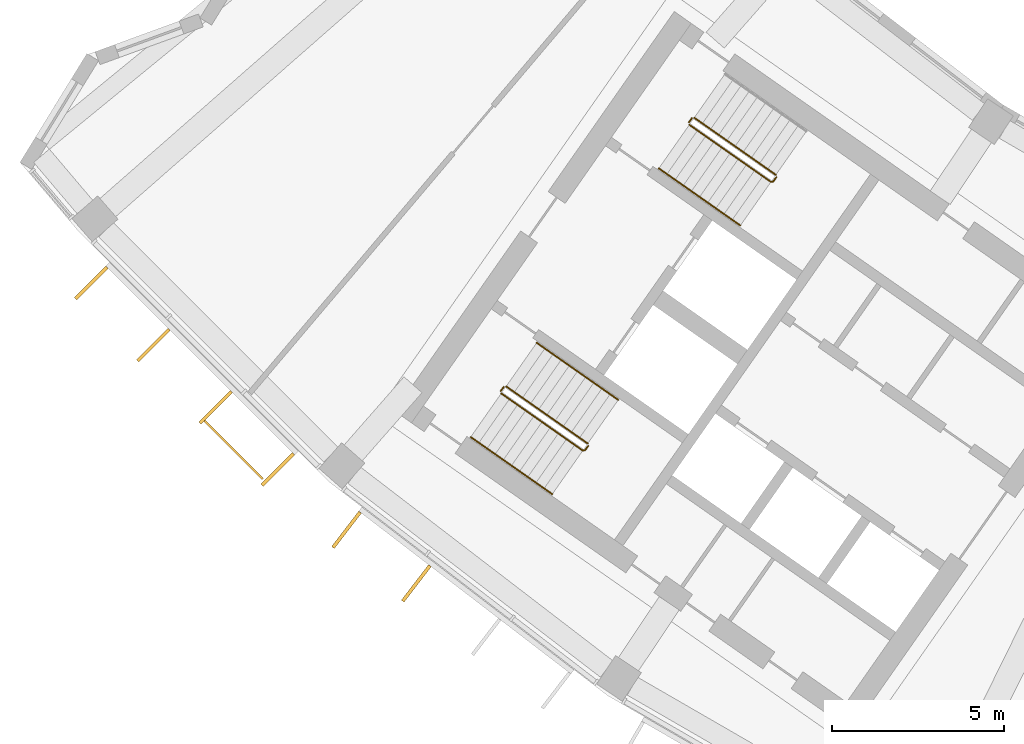
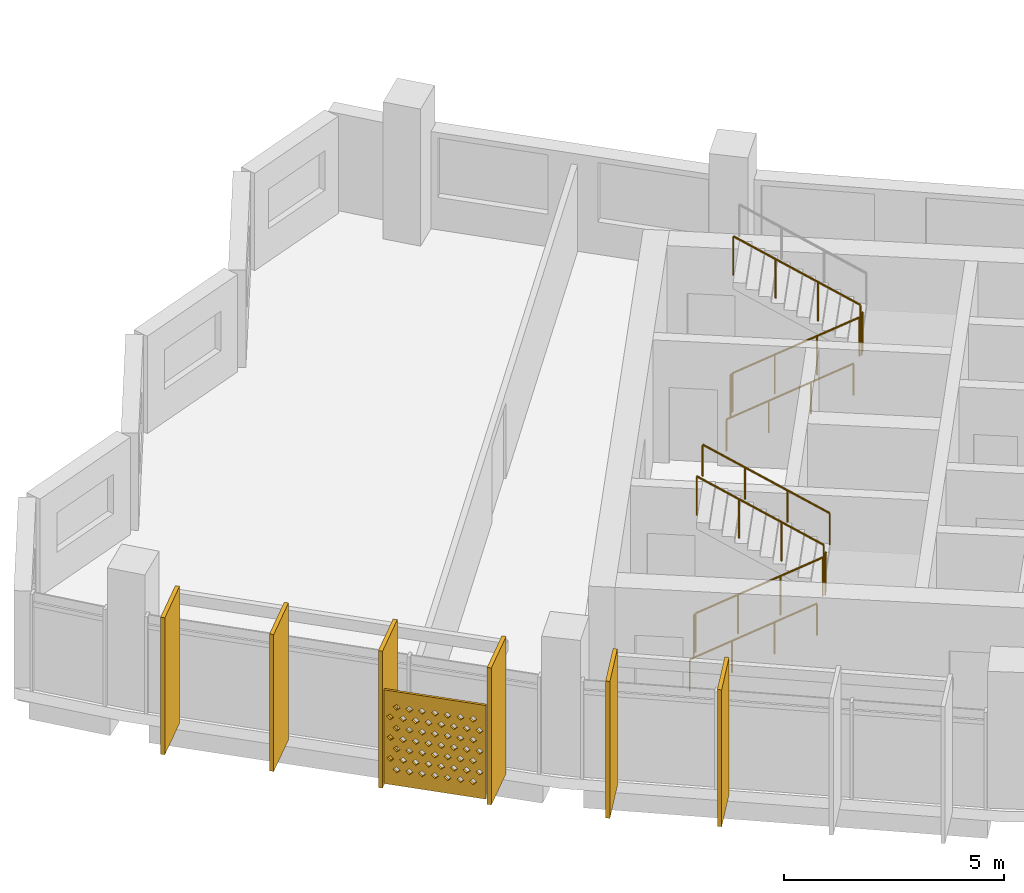
# One storey, part 23 of 27: 9 railings, 7 shading devices.
"""IFC4 building model written with IfcOpenShell, lengths in metres."""

from ifc_helpers import new_model, si_unit, direction, frame, origin, origin_2d, place, context, subcontext, project, spatial, polyline, rectangle, circle, outline, extrude, material, material_profile, profile_set, type_object, element, save


model = new_model("IFC4")

# Units and contexts
model_context = context("Model", 3, precision=1e-05, world=origin(), true_north=direction((0.0, 1.0)))
body_context = subcontext(model_context, "Body", "Model", "MODEL_VIEW")
ifc_project = project(units=[si_unit("LENGTHUNIT", "METRE"), si_unit("AREAUNIT", "SQUARE_METRE"), si_unit("VOLUMEUNIT", "CUBIC_METRE"), si_unit("PLANEANGLEUNIT", "RADIAN"), si_unit("MASSUNIT", "GRAM", prefix="KILO")], contexts=[model_context])

# Site, building, storey
site_placement = place(None, origin())
site = spatial("IfcSite", under=ifc_project, at=site_placement, CompositionType="ELEMENT")
building_placement = place(site_placement, origin())
building = spatial("IfcBuilding", under=site, at=building_placement, Name="Qamariyya Broadcast Tower", CompositionType="ELEMENT")
storey_placement = place(building_placement, frame((0.0, 0.0, 280.89990234375)))
storey = spatial("IfcBuildingStorey", under=building, at=storey_placement, Name="L68", CompositionType="ELEMENT", Elevation=280.89990234375)

# Shading device
ifc_material_1 = material(Name="Perforated glazed terracotta", Category="masonry")
ifc_material_profile_1 = material_profile(ifc_material_1, outline(polyline([(-1.199951171875, -1.300048828125), (1.199951171875, -1.300048828125), (1.199951171875, 1.300048828125), (-1.199951171875, 1.300048828125), (-1.199951171875, -1.300048828125)]), holes=[polyline([(-0.81494140625, -0.86669921875), (-0.89990234375, -0.78173828125), (-0.985107421875, -0.86669921875), (-0.89990234375, -0.95166015625), (-0.81494140625, -0.86669921875)]), polyline([(-0.514892578125, -0.86669921875), (-0.60009765625, -0.78173828125), (-0.68505859375, -0.86669921875), (-0.60009765625, -0.95166015625), (-0.514892578125, -0.86669921875)]), polyline([(-0.215087890625, -0.86669921875), (-0.300048828125, -0.78173828125), (-0.385009765625, -0.86669921875), (-0.300048828125, -0.95166015625), (-0.215087890625, -0.86669921875)]), polyline([(0.0849609375, -0.86669921875), (0.0, -0.78173828125), (-0.0849609375, -0.86669921875), (0.0, -0.95166015625), (0.0849609375, -0.86669921875)]), polyline([(0.385009765625, -0.86669921875), (0.300048828125, -0.78173828125), (0.215087890625, -0.86669921875), (0.300048828125, -0.95166015625), (0.385009765625, -0.86669921875)]), polyline([(0.68505859375, -0.86669921875), (0.60009765625, -0.78173828125), (0.514892578125, -0.86669921875), (0.60009765625, -0.95166015625), (0.68505859375, -0.86669921875)]), polyline([(0.985107421875, -0.86669921875), (0.89990234375, -0.78173828125), (0.81494140625, -0.86669921875), (0.89990234375, -0.95166015625), (0.985107421875, -0.86669921875)]), polyline([(-0.965087890625, -0.577880859375), (-1.050048828125, -0.49267578125), (-1.135009765625, -0.577880859375), (-1.050048828125, -0.662841796875), (-0.965087890625, -0.577880859375)]), polyline([(-0.6650390625, -0.577880859375), (-0.75, -0.49267578125), (-0.8349609375, -0.577880859375), (-0.75, -0.662841796875), (-0.6650390625, -0.577880859375)]), polyline([(-0.364990234375, -0.577880859375), (-0.449951171875, -0.49267578125), (-0.534912109375, -0.577880859375), (-0.449951171875, -0.662841796875), (-0.364990234375, -0.577880859375)]), polyline([(-0.06494140625, -0.577880859375), (-0.14990234375, -0.49267578125), (-0.235107421875, -0.577880859375), (-0.14990234375, -0.662841796875), (-0.06494140625, -0.577880859375)]), polyline([(0.235107421875, -0.577880859375), (0.14990234375, -0.49267578125), (0.06494140625, -0.577880859375), (0.14990234375, -0.662841796875), (0.235107421875, -0.577880859375)]), polyline([(0.534912109375, -0.577880859375), (0.449951171875, -0.49267578125), (0.364990234375, -0.577880859375), (0.449951171875, -0.662841796875), (0.534912109375, -0.577880859375)]), polyline([(0.8349609375, -0.577880859375), (0.75, -0.49267578125), (0.6650390625, -0.577880859375), (0.75, -0.662841796875), (0.8349609375, -0.577880859375)]), polyline([(1.135009765625, -0.577880859375), (1.050048828125, -0.49267578125), (0.965087890625, -0.577880859375), (1.050048828125, -0.662841796875), (1.135009765625, -0.577880859375)]), polyline([(-0.81494140625, -0.288818359375), (-0.89990234375, -0.203857421875), (-0.985107421875, -0.288818359375), (-0.89990234375, -0.373779296875), (-0.81494140625, -0.288818359375)]), polyline([(-0.514892578125, -0.288818359375), (-0.60009765625, -0.203857421875), (-0.68505859375, -0.288818359375), (-0.60009765625, -0.373779296875), (-0.514892578125, -0.288818359375)]), polyline([(-0.215087890625, -0.288818359375), (-0.300048828125, -0.203857421875), (-0.385009765625, -0.288818359375), (-0.300048828125, -0.373779296875), (-0.215087890625, -0.288818359375)]), polyline([(0.0849609375, -0.288818359375), (0.0, -0.203857421875), (-0.0849609375, -0.288818359375), (0.0, -0.373779296875), (0.0849609375, -0.288818359375)]), polyline([(0.385009765625, -0.288818359375), (0.300048828125, -0.203857421875), (0.215087890625, -0.288818359375), (0.300048828125, -0.373779296875), (0.385009765625, -0.288818359375)]), polyline([(0.68505859375, -0.288818359375), (0.60009765625, -0.203857421875), (0.514892578125, -0.288818359375), (0.60009765625, -0.373779296875), (0.68505859375, -0.288818359375)]), polyline([(0.985107421875, -0.288818359375), (0.89990234375, -0.203857421875), (0.81494140625, -0.288818359375), (0.89990234375, -0.373779296875), (0.985107421875, -0.288818359375)]), polyline([(-0.965087890625, 0.0), (-1.050048828125, 0.0849609375), (-1.135009765625, 0.0), (-1.050048828125, -0.0849609375), (-0.965087890625, 0.0)]), polyline([(-0.6650390625, 0.0), (-0.75, 0.0849609375), (-0.8349609375, 0.0), (-0.75, -0.0849609375), (-0.6650390625, 0.0)]), polyline([(-0.364990234375, 0.0), (-0.449951171875, 0.0849609375), (-0.534912109375, 0.0), (-0.449951171875, -0.0849609375), (-0.364990234375, 0.0)]), polyline([(-0.06494140625, 0.0), (-0.14990234375, 0.0849609375), (-0.235107421875, 0.0), (-0.14990234375, -0.0849609375), (-0.06494140625, 0.0)]), polyline([(0.235107421875, 0.0), (0.14990234375, 0.0849609375), (0.06494140625, 0.0), (0.14990234375, -0.0849609375), (0.235107421875, 0.0)]), polyline([(0.534912109375, 0.0), (0.449951171875, 0.0849609375), (0.364990234375, 0.0), (0.449951171875, -0.0849609375), (0.534912109375, 0.0)]), polyline([(0.8349609375, 0.0), (0.75, 0.0849609375), (0.6650390625, 0.0), (0.75, -0.0849609375), (0.8349609375, 0.0)]), polyline([(1.135009765625, 0.0), (1.050048828125, 0.0849609375), (0.965087890625, 0.0), (1.050048828125, -0.0849609375), (1.135009765625, 0.0)]), polyline([(-0.81494140625, 0.288818359375), (-0.89990234375, 0.373779296875), (-0.985107421875, 0.288818359375), (-0.89990234375, 0.203857421875), (-0.81494140625, 0.288818359375)]), polyline([(-0.514892578125, 0.288818359375), (-0.60009765625, 0.373779296875), (-0.68505859375, 0.288818359375), (-0.60009765625, 0.203857421875), (-0.514892578125, 0.288818359375)]), polyline([(-0.215087890625, 0.288818359375), (-0.300048828125, 0.373779296875), (-0.385009765625, 0.288818359375), (-0.300048828125, 0.203857421875), (-0.215087890625, 0.288818359375)]), polyline([(0.0849609375, 0.288818359375), (0.0, 0.373779296875), (-0.0849609375, 0.288818359375), (0.0, 0.203857421875), (0.0849609375, 0.288818359375)]), polyline([(0.385009765625, 0.288818359375), (0.300048828125, 0.373779296875), (0.215087890625, 0.288818359375), (0.300048828125, 0.203857421875), (0.385009765625, 0.288818359375)]), polyline([(0.68505859375, 0.288818359375), (0.60009765625, 0.373779296875), (0.514892578125, 0.288818359375), (0.60009765625, 0.203857421875), (0.68505859375, 0.288818359375)]), polyline([(0.985107421875, 0.288818359375), (0.89990234375, 0.373779296875), (0.81494140625, 0.288818359375), (0.89990234375, 0.203857421875), (0.985107421875, 0.288818359375)]), polyline([(-0.965087890625, 0.577880859375), (-1.050048828125, 0.662841796875), (-1.135009765625, 0.577880859375), (-1.050048828125, 0.49267578125), (-0.965087890625, 0.577880859375)]), polyline([(-0.6650390625, 0.577880859375), (-0.75, 0.662841796875), (-0.8349609375, 0.577880859375), (-0.75, 0.49267578125), (-0.6650390625, 0.577880859375)]), polyline([(-0.364990234375, 0.577880859375), (-0.449951171875, 0.662841796875), (-0.534912109375, 0.577880859375), (-0.449951171875, 0.49267578125), (-0.364990234375, 0.577880859375)]), polyline([(-0.06494140625, 0.577880859375), (-0.14990234375, 0.662841796875), (-0.235107421875, 0.577880859375), (-0.14990234375, 0.49267578125), (-0.06494140625, 0.577880859375)]), polyline([(0.235107421875, 0.577880859375), (0.14990234375, 0.662841796875), (0.06494140625, 0.577880859375), (0.14990234375, 0.49267578125), (0.235107421875, 0.577880859375)]), polyline([(0.534912109375, 0.577880859375), (0.449951171875, 0.662841796875), (0.364990234375, 0.577880859375), (0.449951171875, 0.49267578125), (0.534912109375, 0.577880859375)]), polyline([(0.8349609375, 0.577880859375), (0.75, 0.662841796875), (0.6650390625, 0.577880859375), (0.75, 0.49267578125), (0.8349609375, 0.577880859375)]), polyline([(1.135009765625, 0.577880859375), (1.050048828125, 0.662841796875), (0.965087890625, 0.577880859375), (1.050048828125, 0.49267578125), (1.135009765625, 0.577880859375)]), polyline([(-0.81494140625, 0.86669921875), (-0.89990234375, 0.95166015625), (-0.985107421875, 0.86669921875), (-0.89990234375, 0.78173828125), (-0.81494140625, 0.86669921875)]), polyline([(-0.514892578125, 0.86669921875), (-0.60009765625, 0.95166015625), (-0.68505859375, 0.86669921875), (-0.60009765625, 0.78173828125), (-0.514892578125, 0.86669921875)]), polyline([(-0.215087890625, 0.86669921875), (-0.300048828125, 0.95166015625), (-0.385009765625, 0.86669921875), (-0.300048828125, 0.78173828125), (-0.215087890625, 0.86669921875)]), polyline([(0.0849609375, 0.86669921875), (0.0, 0.95166015625), (-0.0849609375, 0.86669921875), (0.0, 0.78173828125), (0.0849609375, 0.86669921875)]), polyline([(0.385009765625, 0.86669921875), (0.300048828125, 0.95166015625), (0.215087890625, 0.86669921875), (0.300048828125, 0.78173828125), (0.385009765625, 0.86669921875)]), polyline([(0.68505859375, 0.86669921875), (0.60009765625, 0.95166015625), (0.514892578125, 0.86669921875), (0.60009765625, 0.78173828125), (0.68505859375, 0.86669921875)]), polyline([(0.985107421875, 0.86669921875), (0.89990234375, 0.95166015625), (0.81494140625, 0.86669921875), (0.89990234375, 0.78173828125), (0.985107421875, 0.86669921875)])]))
ifc_profile_set_1 = profile_set([ifc_material_profile_1], Name="Perforated glazed terracotta")
shading_device_type_1 = type_object("IfcShadingDeviceType", Name="Perforated terracotta screen 2400 x 2600", PredefinedType="USERDEFINED", material=ifc_profile_set_1)
shading_device_placement = place(storey_placement, frame((-54.391357421875, -57.970947265625, 1.35009765625), z_axis=(-0.707106781187, -0.707106781187, 0.0), x_axis=(0.707106781187, -0.707106781187, 0.0)))
element("IfcShadingDevice", 1, at=shading_device_placement, inside=storey, type_object=shading_device_type_1, Name="e-scr-L68-01-2", ObjectType="SCREEN", PredefinedType="USERDEFINED", context=body_context, shape_type="SweptSolid", body=[
    extrude(outline(polyline([(-1.199951171875, -1.300048828125), (1.199951171875, -1.300048828125), (1.199951171875, 1.300048828125), (-1.199951171875, 1.300048828125), (-1.199951171875, -1.300048828125)]), holes=[polyline([(-0.81494140625, -0.86669921875), (-0.89990234375, -0.78173828125), (-0.985107421875, -0.86669921875), (-0.89990234375, -0.95166015625), (-0.81494140625, -0.86669921875)]), polyline([(-0.514892578125, -0.86669921875), (-0.60009765625, -0.78173828125), (-0.68505859375, -0.86669921875), (-0.60009765625, -0.95166015625), (-0.514892578125, -0.86669921875)]), polyline([(-0.215087890625, -0.86669921875), (-0.300048828125, -0.78173828125), (-0.385009765625, -0.86669921875), (-0.300048828125, -0.95166015625), (-0.215087890625, -0.86669921875)]), polyline([(0.0849609375, -0.86669921875), (0.0, -0.78173828125), (-0.0849609375, -0.86669921875), (0.0, -0.95166015625), (0.0849609375, -0.86669921875)]), polyline([(0.385009765625, -0.86669921875), (0.300048828125, -0.78173828125), (0.215087890625, -0.86669921875), (0.300048828125, -0.95166015625), (0.385009765625, -0.86669921875)]), polyline([(0.68505859375, -0.86669921875), (0.60009765625, -0.78173828125), (0.514892578125, -0.86669921875), (0.60009765625, -0.95166015625), (0.68505859375, -0.86669921875)]), polyline([(0.985107421875, -0.86669921875), (0.89990234375, -0.78173828125), (0.81494140625, -0.86669921875), (0.89990234375, -0.95166015625), (0.985107421875, -0.86669921875)]), polyline([(-0.965087890625, -0.577880859375), (-1.050048828125, -0.49267578125), (-1.135009765625, -0.577880859375), (-1.050048828125, -0.662841796875), (-0.965087890625, -0.577880859375)]), polyline([(-0.6650390625, -0.577880859375), (-0.75, -0.49267578125), (-0.8349609375, -0.577880859375), (-0.75, -0.662841796875), (-0.6650390625, -0.577880859375)]), polyline([(-0.364990234375, -0.577880859375), (-0.449951171875, -0.49267578125), (-0.534912109375, -0.577880859375), (-0.449951171875, -0.662841796875), (-0.364990234375, -0.577880859375)]), polyline([(-0.06494140625, -0.577880859375), (-0.14990234375, -0.49267578125), (-0.235107421875, -0.577880859375), (-0.14990234375, -0.662841796875), (-0.06494140625, -0.577880859375)]), polyline([(0.235107421875, -0.577880859375), (0.14990234375, -0.49267578125), (0.06494140625, -0.577880859375), (0.14990234375, -0.662841796875), (0.235107421875, -0.577880859375)]), polyline([(0.534912109375, -0.577880859375), (0.449951171875, -0.49267578125), (0.364990234375, -0.577880859375), (0.449951171875, -0.662841796875), (0.534912109375, -0.577880859375)]), polyline([(0.8349609375, -0.577880859375), (0.75, -0.49267578125), (0.6650390625, -0.577880859375), (0.75, -0.662841796875), (0.8349609375, -0.577880859375)]), polyline([(1.135009765625, -0.577880859375), (1.050048828125, -0.49267578125), (0.965087890625, -0.577880859375), (1.050048828125, -0.662841796875), (1.135009765625, -0.577880859375)]), polyline([(-0.81494140625, -0.288818359375), (-0.89990234375, -0.203857421875), (-0.985107421875, -0.288818359375), (-0.89990234375, -0.373779296875), (-0.81494140625, -0.288818359375)]), polyline([(-0.514892578125, -0.288818359375), (-0.60009765625, -0.203857421875), (-0.68505859375, -0.288818359375), (-0.60009765625, -0.373779296875), (-0.514892578125, -0.288818359375)]), polyline([(-0.215087890625, -0.288818359375), (-0.300048828125, -0.203857421875), (-0.385009765625, -0.288818359375), (-0.300048828125, -0.373779296875), (-0.215087890625, -0.288818359375)]), polyline([(0.0849609375, -0.288818359375), (0.0, -0.203857421875), (-0.0849609375, -0.288818359375), (0.0, -0.373779296875), (0.0849609375, -0.288818359375)]), polyline([(0.385009765625, -0.288818359375), (0.300048828125, -0.203857421875), (0.215087890625, -0.288818359375), (0.300048828125, -0.373779296875), (0.385009765625, -0.288818359375)]), polyline([(0.68505859375, -0.288818359375), (0.60009765625, -0.203857421875), (0.514892578125, -0.288818359375), (0.60009765625, -0.373779296875), (0.68505859375, -0.288818359375)]), polyline([(0.985107421875, -0.288818359375), (0.89990234375, -0.203857421875), (0.81494140625, -0.288818359375), (0.89990234375, -0.373779296875), (0.985107421875, -0.288818359375)]), polyline([(-0.965087890625, 0.0), (-1.050048828125, 0.0849609375), (-1.135009765625, 0.0), (-1.050048828125, -0.0849609375), (-0.965087890625, 0.0)]), polyline([(-0.6650390625, 0.0), (-0.75, 0.0849609375), (-0.8349609375, 0.0), (-0.75, -0.0849609375), (-0.6650390625, 0.0)]), polyline([(-0.364990234375, 0.0), (-0.449951171875, 0.0849609375), (-0.534912109375, 0.0), (-0.449951171875, -0.0849609375), (-0.364990234375, 0.0)]), polyline([(-0.06494140625, 0.0), (-0.14990234375, 0.0849609375), (-0.235107421875, 0.0), (-0.14990234375, -0.0849609375), (-0.06494140625, 0.0)]), polyline([(0.235107421875, 0.0), (0.14990234375, 0.0849609375), (0.06494140625, 0.0), (0.14990234375, -0.0849609375), (0.235107421875, 0.0)]), polyline([(0.534912109375, 0.0), (0.449951171875, 0.0849609375), (0.364990234375, 0.0), (0.449951171875, -0.0849609375), (0.534912109375, 0.0)]), polyline([(0.8349609375, 0.0), (0.75, 0.0849609375), (0.6650390625, 0.0), (0.75, -0.0849609375), (0.8349609375, 0.0)]), polyline([(1.135009765625, 0.0), (1.050048828125, 0.0849609375), (0.965087890625, 0.0), (1.050048828125, -0.0849609375), (1.135009765625, 0.0)]), polyline([(-0.81494140625, 0.288818359375), (-0.89990234375, 0.373779296875), (-0.985107421875, 0.288818359375), (-0.89990234375, 0.203857421875), (-0.81494140625, 0.288818359375)]), polyline([(-0.514892578125, 0.288818359375), (-0.60009765625, 0.373779296875), (-0.68505859375, 0.288818359375), (-0.60009765625, 0.203857421875), (-0.514892578125, 0.288818359375)]), polyline([(-0.215087890625, 0.288818359375), (-0.300048828125, 0.373779296875), (-0.385009765625, 0.288818359375), (-0.300048828125, 0.203857421875), (-0.215087890625, 0.288818359375)]), polyline([(0.0849609375, 0.288818359375), (0.0, 0.373779296875), (-0.0849609375, 0.288818359375), (0.0, 0.203857421875), (0.0849609375, 0.288818359375)]), polyline([(0.385009765625, 0.288818359375), (0.300048828125, 0.373779296875), (0.215087890625, 0.288818359375), (0.300048828125, 0.203857421875), (0.385009765625, 0.288818359375)]), polyline([(0.68505859375, 0.288818359375), (0.60009765625, 0.373779296875), (0.514892578125, 0.288818359375), (0.60009765625, 0.203857421875), (0.68505859375, 0.288818359375)]), polyline([(0.985107421875, 0.288818359375), (0.89990234375, 0.373779296875), (0.81494140625, 0.288818359375), (0.89990234375, 0.203857421875), (0.985107421875, 0.288818359375)]), polyline([(-0.965087890625, 0.577880859375), (-1.050048828125, 0.662841796875), (-1.135009765625, 0.577880859375), (-1.050048828125, 0.49267578125), (-0.965087890625, 0.577880859375)]), polyline([(-0.6650390625, 0.577880859375), (-0.75, 0.662841796875), (-0.8349609375, 0.577880859375), (-0.75, 0.49267578125), (-0.6650390625, 0.577880859375)]), polyline([(-0.364990234375, 0.577880859375), (-0.449951171875, 0.662841796875), (-0.534912109375, 0.577880859375), (-0.449951171875, 0.49267578125), (-0.364990234375, 0.577880859375)]), polyline([(-0.06494140625, 0.577880859375), (-0.14990234375, 0.662841796875), (-0.235107421875, 0.577880859375), (-0.14990234375, 0.49267578125), (-0.06494140625, 0.577880859375)]), polyline([(0.235107421875, 0.577880859375), (0.14990234375, 0.662841796875), (0.06494140625, 0.577880859375), (0.14990234375, 0.49267578125), (0.235107421875, 0.577880859375)]), polyline([(0.534912109375, 0.577880859375), (0.449951171875, 0.662841796875), (0.364990234375, 0.577880859375), (0.449951171875, 0.49267578125), (0.534912109375, 0.577880859375)]), polyline([(0.8349609375, 0.577880859375), (0.75, 0.662841796875), (0.6650390625, 0.577880859375), (0.75, 0.49267578125), (0.8349609375, 0.577880859375)]), polyline([(1.135009765625, 0.577880859375), (1.050048828125, 0.662841796875), (0.965087890625, 0.577880859375), (1.050048828125, 0.49267578125), (1.135009765625, 0.577880859375)]), polyline([(-0.81494140625, 0.86669921875), (-0.89990234375, 0.95166015625), (-0.985107421875, 0.86669921875), (-0.89990234375, 0.78173828125), (-0.81494140625, 0.86669921875)]), polyline([(-0.514892578125, 0.86669921875), (-0.60009765625, 0.95166015625), (-0.68505859375, 0.86669921875), (-0.60009765625, 0.78173828125), (-0.514892578125, 0.86669921875)]), polyline([(-0.215087890625, 0.86669921875), (-0.300048828125, 0.95166015625), (-0.385009765625, 0.86669921875), (-0.300048828125, 0.78173828125), (-0.215087890625, 0.86669921875)]), polyline([(0.0849609375, 0.86669921875), (0.0, 0.95166015625), (-0.0849609375, 0.86669921875), (0.0, 0.78173828125), (0.0849609375, 0.86669921875)]), polyline([(0.385009765625, 0.86669921875), (0.300048828125, 0.95166015625), (0.215087890625, 0.86669921875), (0.300048828125, 0.78173828125), (0.385009765625, 0.86669921875)]), polyline([(0.68505859375, 0.86669921875), (0.60009765625, 0.95166015625), (0.514892578125, 0.86669921875), (0.60009765625, 0.78173828125), (0.68505859375, 0.86669921875)]), polyline([(0.985107421875, 0.86669921875), (0.89990234375, 0.95166015625), (0.81494140625, 0.86669921875), (0.89990234375, 0.78173828125), (0.985107421875, 0.86669921875)])]), origin(), (0.0, 0.0, 1.0), 0.06005859375),
])

# Railings
ifc_material_2 = material(Name="Painted steel", Category="steel")
railing_type_1 = type_object("IfcRailingType", Name="Stair guard", PredefinedType="GUARDRAIL", material=ifc_material_2)
railing_1_placement = place(storey_placement, frame((-41.146728515625, -48.52490234375, 0.1728515625)))
element("IfcRailing", 2, at=railing_1_placement, inside=storey, type_object=railing_type_1, Name="L68 ST-W2 stair guard 1", PredefinedType="GUARDRAIL", context=body_context, shape_type="SweptSolid", body=[
    extrude(circle(Radius=0.02392578125, at=origin_2d()), frame((0.0, 0.0, 1.076171875), z_axis=(0.703770094002, -0.492783725636, 0.511734163933), x_axis=(0.573575343427, 0.819152809562, 0.0)), (0.0, 0.0, 1.0), 3.37548828125),
    extrude(circle(Radius=0.02392578125, at=origin_2d()), frame((2.37548828125, -1.663330078125, 2.80322265625), z_axis=(0.985059694769, 0.172213233351, 0.0), x_axis=(-0.172213233351, 0.985059694769, 0.0)), (0.0, 0.0, 1.0), 0.07080078125),
    extrude(circle(Radius=0.02392578125, at=origin_2d()), frame((2.4453125, -1.651123046875, 2.80322265625), z_axis=(0.572588637393, 0.819842821722, 0.0), x_axis=(-0.819842821722, 0.572588637393, 0.0)), (0.0, 0.0, 1.0), 0.150146484375),
    extrude(circle(Radius=0.02099609375, at=origin_2d()), origin(), (0.0, 0.0, 1.0), 1.052001953125),
    extrude(circle(Radius=0.02099609375, at=origin_2d()), frame((0.791748046875, -0.554443359375, 0.57568359375)), (0.0, 0.0, 1.0), 1.052001953125),
    extrude(circle(Radius=0.02099609375, at=origin_2d()), frame((1.583740234375, -1.10888671875, 1.151611328125)), (0.0, 0.0, 1.0), 1.052001953125),
    extrude(circle(Radius=0.02099609375, at=origin_2d()), frame((2.37548828125, -1.663330078125, 1.727294921875)), (0.0, 0.0, 1.0), 1.052001953125),
    extrude(circle(Radius=0.02099609375, at=origin_2d()), frame((2.4453125, -1.651123046875, 1.727294921875)), (0.0, 0.0, 1.0), 1.052001953125),
    extrude(circle(Radius=0.02099609375, at=origin_2d()), frame((2.53125, -1.528076171875, 1.727294921875)), (0.0, 0.0, 1.0), 1.052001953125),
])
railing_2_placement = place(storey_placement, frame((-38.627685546875, -49.9833984375, 2.07275390625)))
element("IfcRailing", 3, at=railing_2_placement, inside=storey, type_object=railing_type_1, Name="L68 ST-W2 stair guard 2", PredefinedType="GUARDRAIL", context=body_context, shape_type="SweptSolid", body=[
    extrude(circle(Radius=0.02392578125, at=origin_2d()), frame((0.0, 0.0, 1.076171875), z_axis=(-0.703770094002, 0.492783725636, 0.511734163933), x_axis=(-0.573575343427, -0.819152809562, 0.0)), (0.0, 0.0, 1.0), 3.37548828125),
    extrude(circle(Radius=0.02099609375, at=origin_2d()), origin(), (0.0, 0.0, 1.0), 1.052001953125),
    extrude(circle(Radius=0.02099609375, at=origin_2d()), frame((-0.791748046875, 0.554443359375, 0.57568359375)), (0.0, 0.0, 1.0), 1.052001953125),
    extrude(circle(Radius=0.02099609375, at=origin_2d()), frame((-1.583740234375, 1.10888671875, 1.151611328125)), (0.0, 0.0, 1.0), 1.052001953125),
    extrude(circle(Radius=0.02099609375, at=origin_2d()), frame((-2.37548828125, 1.663330078125, 1.727294921875)), (0.0, 0.0, 1.0), 1.052001953125),
])
railing_3_placement = place(storey_placement, frame((-41.158935546875, -48.455322265625, 0.0)))
element("IfcRailing", 4, at=railing_3_placement, inside=storey, type_object=railing_type_1, Name="L68 ST-W2 stair guard 3", PredefinedType="GUARDRAIL", context=body_context, shape_type="SweptSolid", body=[
    extrude(circle(Radius=0.02392578125, at=origin_2d()), frame((0.0, 0.0, 1.076171875), z_axis=(0.572588637393, 0.819842821722, 0.0), x_axis=(-0.819842821722, 0.572588637393, 0.0)), (0.0, 0.0, 1.0), 0.150146484375),
    extrude(circle(Radius=0.02099609375, at=origin_2d()), origin(), (0.0, 0.0, 1.0), 1.052001953125),
    extrude(circle(Radius=0.02099609375, at=origin_2d()), frame((0.0859375, 0.123046875, 0.0)), (0.0, 0.0, 1.0), 1.052001953125),
])
railing_4_placement = place(storey_placement, frame((-46.624267578125, -56.34765625, 0.1728515625)))
element("IfcRailing", 5, at=railing_4_placement, inside=storey, type_object=railing_type_1, Name="L68 ST-W1 stair guard 1", PredefinedType="GUARDRAIL", context=body_context, shape_type="SweptSolid", body=[
    extrude(circle(Radius=0.02392578125, at=origin_2d()), frame((0.0, 0.0, 1.076171875), z_axis=(0.703745009021, -0.492838488332, 0.511715923826), x_axis=(0.573631830683, 0.819113253969, 0.0)), (0.0, 0.0, 1.0), 3.37548828125),
    extrude(circle(Radius=0.02392578125, at=origin_2d()), frame((2.37548828125, -1.66357421875, 2.80322265625), z_axis=(0.984363469884, 0.176149252506, 0.0), x_axis=(-0.176149252506, 0.984363469884, 0.0)), (0.0, 0.0, 1.0), 0.07080078125),
    extrude(circle(Radius=0.02392578125, at=origin_2d()), frame((2.445068359375, -1.651123046875, 2.80322265625), z_axis=(0.574444878118, 0.818543268254, 0.0), x_axis=(-0.818543268254, 0.574444878118, 0.0)), (0.0, 0.0, 1.0), 0.150146484375),
    extrude(circle(Radius=0.02099609375, at=origin_2d()), origin(), (0.0, 0.0, 1.0), 1.052001953125),
    extrude(circle(Radius=0.02099609375, at=origin_2d()), frame((0.791748046875, -0.554443359375, 0.57568359375)), (0.0, 0.0, 1.0), 1.052001953125),
    extrude(circle(Radius=0.02099609375, at=origin_2d()), frame((1.583740234375, -1.109130859375, 1.151611328125)), (0.0, 0.0, 1.0), 1.052001953125),
    extrude(circle(Radius=0.02099609375, at=origin_2d()), frame((2.37548828125, -1.66357421875, 1.727294921875)), (0.0, 0.0, 1.0), 1.052001953125),
    extrude(circle(Radius=0.02099609375, at=origin_2d()), frame((2.445068359375, -1.651123046875, 1.727294921875)), (0.0, 0.0, 1.0), 1.052001953125),
    extrude(circle(Radius=0.02099609375, at=origin_2d()), frame((2.53125, -1.5283203125, 1.727294921875)), (0.0, 0.0, 1.0), 1.052001953125),
])
railing_5_placement = place(storey_placement, frame((-44.10546875, -57.806396484375, 2.07275390625)))
element("IfcRailing", 6, at=railing_5_placement, inside=storey, type_object=railing_type_1, Name="L68 ST-W1 stair guard 2", PredefinedType="GUARDRAIL", context=body_context, shape_type="SweptSolid", body=[
    extrude(circle(Radius=0.02392578125, at=origin_2d()), frame((0.0, 0.0, 1.076171875), z_axis=(-0.703770094002, 0.492783725636, 0.511734163933), x_axis=(-0.573575343427, -0.819152809562, 0.0)), (0.0, 0.0, 1.0), 3.37548828125),
    extrude(circle(Radius=0.02099609375, at=origin_2d()), origin(), (0.0, 0.0, 1.0), 1.052001953125),
    extrude(circle(Radius=0.02099609375, at=origin_2d()), frame((-0.791748046875, 0.554443359375, 0.57568359375)), (0.0, 0.0, 1.0), 1.052001953125),
    extrude(circle(Radius=0.02099609375, at=origin_2d()), frame((-1.583740234375, 1.10888671875, 1.151611328125)), (0.0, 0.0, 1.0), 1.052001953125),
    extrude(circle(Radius=0.02099609375, at=origin_2d()), frame((-2.37548828125, 1.663330078125, 1.727294921875)), (0.0, 0.0, 1.0), 1.052001953125),
])
railing_6_placement = place(storey_placement, frame((-46.63671875, -56.278076171875, 0.0)))
element("IfcRailing", 7, at=railing_6_placement, inside=storey, type_object=railing_type_1, Name="L68 ST-W1 stair guard 3", PredefinedType="GUARDRAIL", context=body_context, shape_type="SweptSolid", body=[
    extrude(circle(Radius=0.02392578125, at=origin_2d()), frame((0.0, 0.0, 1.076171875), z_axis=(0.574444878118, 0.818543268254, 0.0), x_axis=(-0.818543268254, 0.574444878118, 0.0)), (0.0, 0.0, 1.0), 0.150146484375),
    extrude(circle(Radius=0.02099609375, at=origin_2d()), origin(), (0.0, 0.0, 1.0), 1.052001953125),
    extrude(circle(Radius=0.02099609375, at=origin_2d()), frame((0.086181640625, 0.122802734375, 0.0)), (0.0, 0.0, 1.0), 1.052001953125),
])
ifc_material_3 = material(Name="Stainless steel", Category="steel")
railing_type_2 = type_object("IfcRailingType", Name="Stair handrail", PredefinedType="HANDRAIL", material=ifc_material_3)
railing_7_placement = place(storey_placement, frame((-42.03564453125, -49.79443359375, 0.1728515625)))
element("IfcRailing", 8, at=railing_7_placement, inside=storey, type_object=railing_type_2, Name="L68 ST-W2 stair handrail 1", PredefinedType="HANDRAIL", context=body_context, shape_type="SweptSolid", body=[
    extrude(circle(Radius=0.02392578125, at=origin_2d()), frame((0.0, 0.0, 0.8759765625), z_axis=(0.703745009021, -0.492838488332, 0.511715923826), x_axis=(0.573631830683, 0.819113253969, 0.0)), (0.0, 0.0, 1.0), 3.37548828125),
    extrude(circle(Radius=0.02099609375, at=origin_2d()), origin(), (0.0, 0.0, 1.0), 0.851806640625),
    extrude(circle(Radius=0.02099609375, at=origin_2d()), frame((0.791748046875, -0.554443359375, 0.57568359375)), (0.0, 0.0, 1.0), 0.851806640625),
    extrude(circle(Radius=0.02099609375, at=origin_2d()), frame((1.583740234375, -1.109130859375, 1.151611328125)), (0.0, 0.0, 1.0), 0.851806640625),
    extrude(circle(Radius=0.02099609375, at=origin_2d()), frame((2.37548828125, -1.66357421875, 1.727294921875)), (0.0, 0.0, 1.0), 0.851806640625),
])
railing_8_placement = place(storey_placement, frame((-47.513427734375, -57.617431640625, 0.1728515625)))
element("IfcRailing", 9, at=railing_8_placement, inside=storey, type_object=railing_type_2, Name="L68 ST-W1 stair handrail 1", PredefinedType="HANDRAIL", context=body_context, shape_type="SweptSolid", body=[
    extrude(circle(Radius=0.02392578125, at=origin_2d()), frame((0.0, 0.0, 0.8759765625), z_axis=(0.703770094002, -0.492783725636, 0.511734163933), x_axis=(0.573575343427, 0.819152809562, 0.0)), (0.0, 0.0, 1.0), 3.37548828125),
    extrude(circle(Radius=0.02099609375, at=origin_2d()), origin(), (0.0, 0.0, 1.0), 0.851806640625),
    extrude(circle(Radius=0.02099609375, at=origin_2d()), frame((0.791748046875, -0.554443359375, 0.57568359375)), (0.0, 0.0, 1.0), 0.851806640625),
    extrude(circle(Radius=0.02099609375, at=origin_2d()), frame((1.583740234375, -1.10888671875, 1.151611328125)), (0.0, 0.0, 1.0), 0.851806640625),
    extrude(circle(Radius=0.02099609375, at=origin_2d()), frame((2.37548828125, -1.663330078125, 1.727294921875)), (0.0, 0.0, 1.0), 0.851806640625),
])
railing_9_placement = place(storey_placement, frame((-43.21630859375, -56.53662109375, 2.07275390625)))
element("IfcRailing", 10, at=railing_9_placement, inside=storey, type_object=railing_type_2, Name="L68 ST-W1 stair handrail 2", PredefinedType="HANDRAIL", context=body_context, shape_type="SweptSolid", body=[
    extrude(circle(Radius=0.02392578125, at=origin_2d()), frame((0.0, 0.0, 0.8759765625), z_axis=(-0.703770094002, 0.492783725636, 0.511734163933), x_axis=(-0.573575343427, -0.819152809562, 0.0)), (0.0, 0.0, 1.0), 3.37548828125),
    extrude(circle(Radius=0.02099609375, at=origin_2d()), origin(), (0.0, 0.0, 1.0), 0.851806640625),
    extrude(circle(Radius=0.02099609375, at=origin_2d()), frame((-0.791748046875, 0.554443359375, 0.57568359375)), (0.0, 0.0, 1.0), 0.851806640625),
    extrude(circle(Radius=0.02099609375, at=origin_2d()), frame((-1.583740234375, 1.10888671875, 1.151611328125)), (0.0, 0.0, 1.0), 0.851806640625),
    extrude(circle(Radius=0.02099609375, at=origin_2d()), frame((-2.37548828125, 1.663330078125, 1.727294921875)), (0.0, 0.0, 1.0), 0.851806640625),
])

# Shading devices
ifc_material_4 = material(Name="Glazed terracotta", Category="masonry")
ifc_material_profile_2 = material_profile(ifc_material_4, rectangle(XDim=1.300048828125, YDim=0.10009765625, at=origin_2d()))
ifc_profile_set_2 = profile_set([ifc_material_profile_2], Name="Glazed terracotta")
shading_device_type_2 = type_object("IfcShadingDeviceType", Name="Terracotta fin 100 x 1300", PredefinedType="USERDEFINED", material=ifc_profile_set_2)
for number, where, z_axis, x_axis, name in (
    (11, (-58.56640625, -53.13134765625, 0.0), (0.0, 0.0, 1.0), (-0.707106781187, -0.707106781187, 0.0), "e-fin-L68-01-0"),
    (12, (-56.754638671875, -54.943115234375, 0.0), (0.0, 0.0, 1.0), (-0.707106781187, -0.707106781187, 0.0), "e-fin-L68-01-1"),
    (13, (-54.943115234375, -56.754638671875, 0.0), (0.0, 0.0, 1.0), (-0.707106781187, -0.707106781187, 0.0), "e-fin-L68-01-2"),
    (14, (-53.13134765625, -58.56640625, 0.0), (0.0, 0.0, 1.0), (-0.707106781187, -0.707106781187, 0.0), "e-fin-L68-01-3"),
    (15, (-51.13037109375, -60.3212890625, 0.0), (0.0, 0.0, 1.0), (-0.608761429009, -0.793353340291, 0.0), "e-fin-L68-02-0"),
    (16, (-49.09765625, -61.880859375, 0.0), (0.0, 0.0, 1.0), (-0.608761429009, -0.793353340291, 0.0), "e-fin-L68-02-1"),
):
    element("IfcShadingDevice", number, at=place(storey_placement, frame(where, z_axis=z_axis, x_axis=x_axis)), inside=storey, type_object=shading_device_type_2, Name=name, ObjectType="FIN", PredefinedType="USERDEFINED", context=body_context, shape_type="SweptSolid", body=[
        extrude(rectangle(XDim=1.300048828125, YDim=0.10009765625, at=origin_2d()), origin(), (0.0, 0.0, 1.0), 3.800048828125),
    ])

save(model, "model.ifc")
